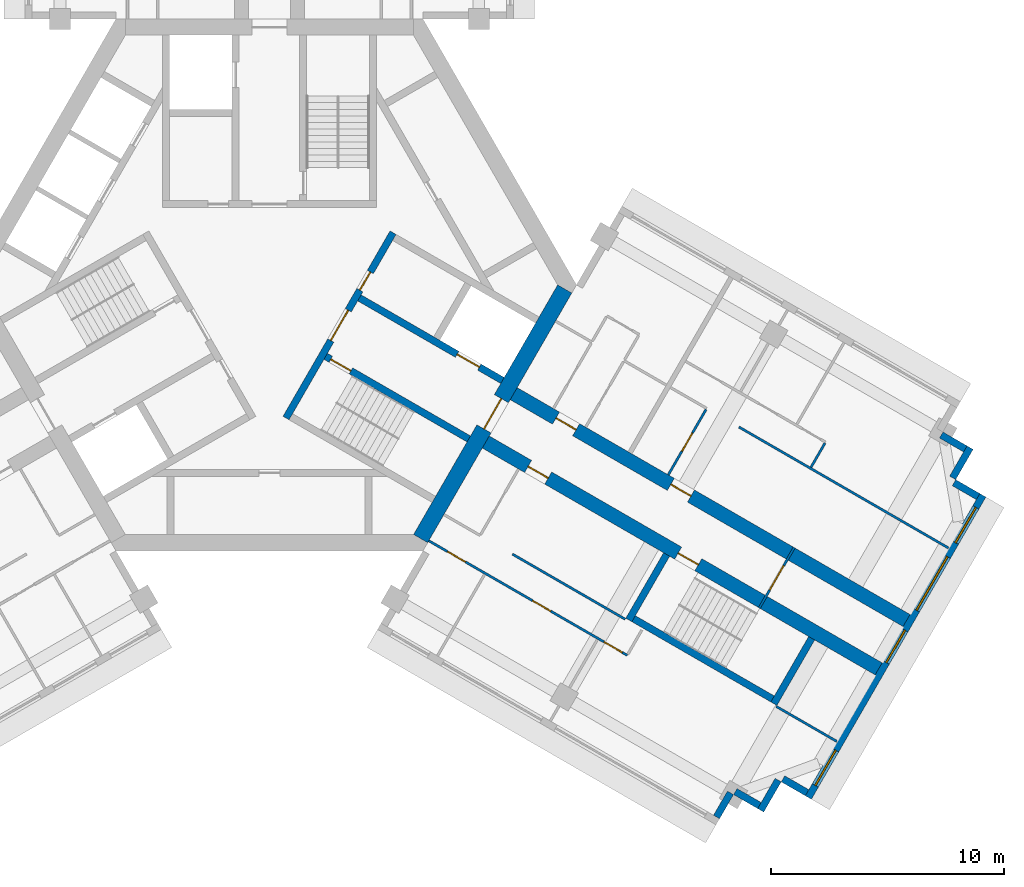
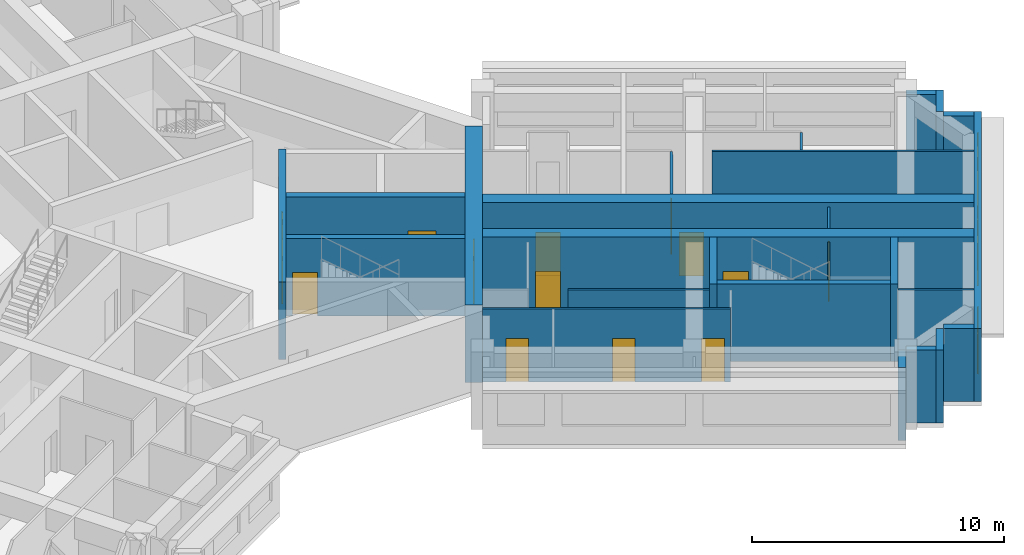
# One storey, part 5 of 10: 24 walls, 14 doors, 4 windows, 18 openings.
"""IFC4 building model written with IfcOpenShell, lengths in metres."""

from ifc_helpers import new_model, si_unit, direction, frame, frame_2d, origin, place, context, subcontext, project, spatial, rectangle, extrude, material, layer, layer_set, type_object, element, fill, save


model = new_model("IFC4")

# Units and contexts
model_context = context("Model", 3, precision=1e-05, world=origin(), true_north=direction((0.0, 1.0)))
body_context = subcontext(model_context, "Body", "Model", "MODEL_VIEW")
ifc_project = project(units=[si_unit("LENGTHUNIT", "METRE"), si_unit("AREAUNIT", "SQUARE_METRE"), si_unit("VOLUMEUNIT", "CUBIC_METRE"), si_unit("PLANEANGLEUNIT", "RADIAN"), si_unit("MASSUNIT", "GRAM", prefix="KILO")], contexts=[model_context])

# Site, building, storey
site_placement = place(None, origin())
site = spatial("IfcSite", under=ifc_project, at=site_placement, CompositionType="ELEMENT")
building_placement = place(site_placement, origin())
building = spatial("IfcBuilding", under=site, at=building_placement, Name="Impinga Residences", CompositionType="ELEMENT")
storey_placement = place(building_placement, frame((0.0, 0.0, 259.75)))
storey = spatial("IfcBuildingStorey", under=building, at=storey_placement, Name="L65", CompositionType="ELEMENT", Elevation=259.75)

# Wall, openings, doors
ifc_material_1 = material(Name="Concrete C60/75", Category="concrete")
ifc_layer_1 = layer(ifc_material_1, 0.60009765625)
ifc_layer_set_1 = layer_set([ifc_layer_1], Name="Concrete C60/75")
wall_type_1 = type_object("IfcWallType", Name="BW3 corridor buttress wall, L46 to L73 600", PredefinedType="SHEAR", material=ifc_layer_set_1)
wall_1_placement = place(storey_placement, frame((10.19677734375, -4.50146484375, 0.0), z_axis=(0.0, 0.0, 1.0), x_axis=(0.866025214745, -0.500000327426, 0.0)))
wall_1 = element("IfcWall", 1, at=wall_1_placement, inside=storey, type_object=wall_type_1, Name="Corridor wall BW3 EC L65", PredefinedType="SHEAR", context=body_context, shape_type="SweptSolid", body=[
    extrude(rectangle(XDim=19.85009765625, YDim=0.60009765625, at=frame_2d((9.925048828125, 0.0))), origin(), (0.0, 0.0, 1.0), 3.75),
])
opening_1_placement = place(wall_1_placement, frame((2.449951171875, 0.0, 0.0)))
opening_1 = element("IfcOpeningElement", 2, at=opening_1_placement, cuts=wall_1, Name="Opening D1", PredefinedType="OPENING", context=body_context, shape_type="SweptSolid", body=[
    extrude(rectangle(XDim=1.0, YDim=2.10009765625, at=frame_2d((0.5, 1.050048828125))), frame((0.0, 0.31005859375, 0.0), z_axis=(0.0, -1.0, 0.0), x_axis=(1.0, 0.0, 0.0)), (0.0, 0.0, 1.0), 0.6201171875),
])
opening_2_placement = place(wall_1_placement, frame((8.14990234375, 0.0, 0.0)))
opening_2 = element("IfcOpeningElement", 3, at=opening_2_placement, cuts=wall_1, Name="Opening D1", PredefinedType="OPENING", context=body_context, shape_type="SweptSolid", body=[
    extrude(rectangle(XDim=1.0, YDim=2.10009765625, at=frame_2d((0.5, 1.050048828125))), frame((0.0, 0.31005859375, 0.0), z_axis=(0.0, -1.0, 0.0), x_axis=(1.0, 0.0, 0.0)), (0.0, 0.0, 1.0), 0.6201171875),
])
ifc_material_2 = material(Name="Timber door set", Category="wood")
door_type_1 = type_object("IfcDoorType", Name="D1 apartment entrance door 1000x2100", OperationType="SINGLE_SWING_LEFT", PredefinedType="DOOR", material=ifc_material_2)
door_1_placement = place(opening_1_placement, origin())
door_1 = element("IfcDoor", 4, at=door_1_placement, inside=storey, type_object=door_type_1, Name="Apartment L65-EA1 entrance", OperationType="SINGLE_SWING_LEFT", OverallHeight=2.10009765625, OverallWidth=1.0, PredefinedType="DOOR", context=body_context, shape_type="SweptSolid", body=[
    extrude(rectangle(XDim=1.0, YDim=2.10009765625, at=frame_2d((0.5, 1.050048828125))), frame((0.0, 0.02490234375, 0.0), z_axis=(0.0, -1.0, 0.0), x_axis=(1.0, 0.0, 0.0)), (0.0, 0.0, 1.0), 0.050048828125),
])
fill(opening_1, door_1)
door_2_placement = place(opening_2_placement, origin())
door_2 = element("IfcDoor", 5, at=door_2_placement, inside=storey, type_object=door_type_1, Name="Apartment L65-EA2 entrance", OperationType="SINGLE_SWING_LEFT", OverallHeight=2.10009765625, OverallWidth=1.0, PredefinedType="DOOR", context=body_context, shape_type="SweptSolid", body=[
    extrude(rectangle(XDim=1.0, YDim=2.10009765625, at=frame_2d((0.5, 1.050048828125))), frame((0.0, 0.02490234375, 0.0), z_axis=(0.0, -1.0, 0.0), x_axis=(1.0, 0.0, 0.0)), (0.0, 0.0, 1.0), 0.050048828125),
])
fill(opening_2, door_2)

wall_2_placement = place(storey_placement, frame((8.996826171875, -6.580078125, 0.0), z_axis=(0.0, 0.0, 1.0), x_axis=(0.866030540451, -0.499991102927, 0.0)))
wall_2 = element("IfcWall", 6, at=wall_2_placement, inside=storey, type_object=wall_type_1, Name="Corridor wall BW3 ED L65", PredefinedType="SHEAR", context=body_context, shape_type="SweptSolid", body=[
    extrude(rectangle(XDim=19.849853515625, YDim=0.60009765625, at=frame_2d((9.9248046875, 0.0))), origin(), (0.0, 0.0, 1.0), 3.75),
])
opening_3_placement = place(wall_2_placement, frame((9.89990234375, 0.0, 0.0)))
opening_3 = element("IfcOpeningElement", 7, at=opening_3_placement, cuts=wall_2, Name="Opening D5", PredefinedType="OPENING", context=body_context, shape_type="SweptSolid", body=[
    extrude(rectangle(XDim=1.0, YDim=2.10009765625, at=frame_2d((0.5, 1.050048828125))), frame((0.0, 0.31005859375, 0.0), z_axis=(0.0, -1.0, 0.0), x_axis=(1.0, 0.0, 0.0)), (0.0, 0.0, 1.0), 0.6201171875),
])
opening_4_placement = place(wall_2_placement, frame((2.449951171875, 0.0, 0.0)))
opening_4 = element("IfcOpeningElement", 8, at=opening_4_placement, cuts=wall_2, Name="Opening D1", PredefinedType="OPENING", context=body_context, shape_type="SweptSolid", body=[
    extrude(rectangle(XDim=1.0, YDim=2.10009765625, at=frame_2d((0.5, 1.050048828125))), frame((0.0, 0.31005859375, 0.0), z_axis=(0.0, -1.0, 0.0), x_axis=(1.0, 0.0, 0.0)), (0.0, 0.0, 1.0), 0.6201171875),
])
door_3_placement = place(opening_4_placement, origin())
door_3 = element("IfcDoor", 9, at=door_3_placement, inside=storey, type_object=door_type_1, Name="Apartment L65-EF1 entrance", OperationType="SINGLE_SWING_LEFT", OverallHeight=2.10009765625, OverallWidth=1.0, PredefinedType="DOOR", context=body_context, shape_type="SweptSolid", body=[
    extrude(rectangle(XDim=1.0, YDim=2.10009765625, at=frame_2d((0.5, 1.050048828125))), frame((0.0, 0.02490234375, 0.0), z_axis=(0.0, -1.0, 0.0), x_axis=(1.0, 0.0, 0.0)), (0.0, 0.0, 1.0), 0.050048828125),
])
fill(opening_4, door_3)
door_type_2 = type_object("IfcDoorType", Name="D5 stair door 1000x2100", OperationType="SINGLE_SWING_LEFT", PredefinedType="DOOR", material=ifc_material_2)
door_4_placement = place(opening_3_placement, origin())
door_4 = element("IfcDoor", 10, at=door_4_placement, inside=storey, type_object=door_type_2, Name="Wing stair door E", OperationType="SINGLE_SWING_RIGHT", OverallHeight=2.10009765625, OverallWidth=1.0, PredefinedType="DOOR", context=body_context, shape_type="SweptSolid", body=[
    extrude(rectangle(XDim=1.0, YDim=2.10009765625, at=frame_2d((0.5, 1.050048828125))), frame((0.0, 0.02490234375, 0.0), z_axis=(0.0, -1.0, 0.0), x_axis=(1.0, 0.0, 0.0)), (0.0, 0.0, 1.0), 0.050048828125),
])
fill(opening_3, door_4)

# Wall, opening, door
ifc_material_3 = material(Name="Concrete blockwork", Category="masonry")
ifc_layer_2 = layer(ifc_material_3, 0.10009765625)
ifc_layer_set_2 = layer_set([ifc_layer_2], Name="CP1 core room partition, blockwork 100")
wall_type_2 = type_object("IfcWallType", Name="CP1 core room partition, blockwork 100", PredefinedType="PARTITIONING", material=ifc_layer_set_2)
wall_3_placement = place(storey_placement, frame((22.557861328125, -11.291748046875, 0.0), z_axis=(0.0, 0.0, 1.0), x_axis=(-0.499990139034, -0.866031096941, 0.0)))
wall_3 = element("IfcWall", 11, at=wall_3_placement, inside=storey, type_object=wall_type_2, Name="Core room partition, blockwork L65:E:LNG", PredefinedType="PARTITIONING", context=body_context, shape_type="SweptSolid", body=[
    extrude(rectangle(XDim=3.0, YDim=0.10009765625, at=frame_2d((1.5, 0.0))), origin(), (0.0, 0.0, 1.0), 3.530029296875),
])
opening_5_placement = place(wall_3_placement, frame((0.89990234375, 0.0, 0.0)))
opening_5 = element("IfcOpeningElement", 12, at=opening_5_placement, cuts=wall_3, Name="Opening D3", PredefinedType="OPENING", context=body_context, shape_type="SweptSolid", body=[
    extrude(rectangle(XDim=1.199951171875, YDim=2.10009765625, at=frame_2d((0.60009765625, 1.050048828125))), frame((0.0, 0.06005859375, 0.0), z_axis=(0.0, -1.0, 0.0), x_axis=(1.0, 0.0, 0.0)), (0.0, 0.0, 1.0), 0.1201171875),
])
door_type_3 = type_object("IfcDoorType", Name="D3 room door, leaf and a half 1200x2100", OperationType="DOUBLE_SWING_LEFT", PredefinedType="DOOR", material=ifc_material_2)
door_5_placement = place(opening_5_placement, origin())
door_5 = element("IfcDoor", 13, at=door_5_placement, inside=storey, type_object=door_type_3, Name="Residents' lounge door E", OperationType="DOUBLE_SWING_LEFT", OverallHeight=2.10009765625, OverallWidth=1.199951171875, PredefinedType="DOOR", context=body_context, shape_type="SweptSolid", body=[
    extrude(rectangle(XDim=1.199951171875, YDim=2.10009765625, at=frame_2d((0.60009765625, 1.050048828125))), frame((0.0, 0.02490234375, 0.0), z_axis=(0.0, -1.0, 0.0), x_axis=(1.0, 0.0, 0.0)), (0.0, 0.0, 1.0), 0.050048828125),
])
fill(opening_5, door_5)

# Walls
ifc_material_4 = material(Name="Terracotta rainscreen on blockwork", Category="masonry")
ifc_layer_3 = layer(ifc_material_4, 0.300048828125)
ifc_layer_set_3 = layer_set([ifc_layer_3], Name="EW1 external wall, terracotta rainscreen on blockwork 300")
wall_type_3 = type_object("IfcWallType", Name="EW1 external wall, terracotta rainscreen on blockwork 300", PredefinedType="SOLIDWALL", material=ifc_layer_set_3)
wall_4_placement = place(storey_placement, frame((28.878662109375, -6.453857421875, 0.0), z_axis=(0.0, 0.0, 1.0), x_axis=(0.865971243484, -0.500093796661, 0.0)))
element("IfcWall", 14, at=wall_4_placement, inside=storey, type_object=wall_type_3, Name="External wall EW1 L65", PredefinedType="SOLIDWALL", context=body_context, shape_type="SweptSolid", body=[
    extrude(rectangle(XDim=1.195068359375, YDim=0.300048828125, at=frame_2d((0.59765625, 0.0))), origin(), (0.0, 0.0, 1.0), 3.530029296875),
])
wall_5_placement = place(storey_placement, frame((30.118408203125, -6.99658203125, 0.0), z_axis=(0.0, 0.0, 1.0), x_axis=(-0.499990139034, -0.866031096941, 0.0)))
element("IfcWall", 15, at=wall_5_placement, inside=storey, type_object=wall_type_3, Name="External wall EW1 L65", PredefinedType="SOLIDWALL", context=body_context, shape_type="SweptSolid", body=[
    extrude(rectangle(XDim=1.5, YDim=0.300048828125, at=frame_2d((0.75, 0.0))), origin(), (0.0, 0.0, 1.0), 3.530029296875),
])
wall_6_placement = place(storey_placement, frame((29.427490234375, -8.5029296875, 0.0), z_axis=(0.0, 0.0, 1.0), x_axis=(0.865971243484, -0.500093796661, 0.0)))
element("IfcWall", 16, at=wall_6_placement, inside=storey, type_object=wall_type_3, Name="External wall EW1 L65", PredefinedType="SOLIDWALL", context=body_context, shape_type="SweptSolid", body=[
    extrude(rectangle(XDim=1.195068359375, YDim=0.300048828125, at=frame_2d((0.59765625, 0.0))), origin(), (0.0, 0.0, 1.0), 3.530029296875),
])

# Wall, openings, windows
wall_7_placement = place(storey_placement, frame((30.66748046875, -9.045654296875, 0.0), z_axis=(0.0, 0.0, 1.0), x_axis=(-0.500004234368, -0.866022959057, 0.0)))
wall_7 = element("IfcWall", 17, at=wall_7_placement, inside=storey, type_object=wall_type_3, Name="External wall EW1 L65", PredefinedType="SOLIDWALL", context=body_context, shape_type="SweptSolid", body=[
    extrude(rectangle(XDim=14.999755859375, YDim=0.300048828125, at=frame_2d((7.5, 0.0))), origin(), (0.0, 0.0, 1.0), 3.530029296875),
])
opening_6_placement = place(wall_7_placement, frame((0.60009765625, 0.0, 0.89990234375)))
opening_6 = element("IfcOpeningElement", 18, at=opening_6_placement, cuts=wall_7, Name="Opening W1", PredefinedType="OPENING", context=body_context, shape_type="SweptSolid", body=[
    extrude(rectangle(XDim=1.75, YDim=2.050048828125, at=frame_2d((0.875, 1.02490234375))), frame((0.0, 0.159912109375, 0.0), z_axis=(0.0, -1.0, 0.0), x_axis=(1.0, 0.0, 0.0)), (0.0, 0.0, 1.0), 0.320068359375),
])
opening_7_placement = place(wall_7_placement, frame((3.050048828125, 0.0, 0.89990234375)))
opening_7 = element("IfcOpeningElement", 19, at=opening_7_placement, cuts=wall_7, Name="Opening W18", PredefinedType="OPENING", context=body_context, shape_type="SweptSolid", body=[
    extrude(rectangle(XDim=2.64990234375, YDim=2.050048828125, at=frame_2d((1.324951171875, 1.02490234375))), frame((0.0, 0.159912109375, 0.0), z_axis=(0.0, -1.0, 0.0), x_axis=(1.0, 0.0, 0.0)), (0.0, 0.0, 1.0), 0.320068359375),
])
opening_8_placement = place(wall_7_placement, frame((6.699951171875, 0.0, 0.89990234375)))
opening_8 = element("IfcOpeningElement", 20, at=opening_8_placement, cuts=wall_7, Name="Opening W19", PredefinedType="OPENING", context=body_context, shape_type="SweptSolid", body=[
    extrude(rectangle(XDim=1.60009765625, YDim=2.050048828125, at=frame_2d((0.800048828125, 1.02490234375))), frame((0.0, 0.159912109375, 0.0), z_axis=(0.0, -1.0, 0.0), x_axis=(1.0, 0.0, 0.0)), (0.0, 0.0, 1.0), 0.320068359375),
])
opening_9_placement = place(wall_7_placement, frame((12.64990234375, 0.0, 0.89990234375)))
opening_9 = element("IfcOpeningElement", 21, at=opening_9_placement, cuts=wall_7, Name="Opening W1", PredefinedType="OPENING", context=body_context, shape_type="SweptSolid", body=[
    extrude(rectangle(XDim=1.75, YDim=2.050048828125, at=frame_2d((0.875, 1.02490234375))), frame((0.0, 0.159912109375, 0.0), z_axis=(0.0, -1.0, 0.0), x_axis=(1.0, 0.0, 0.0)), (0.0, 0.0, 1.0), 0.320068359375),
])
ifc_material_5 = material(Name="Aluminium window, clear double glazing", Category="aluminium")
window_type_1 = type_object("IfcWindowType", Name="W1 ribbon window 1750x2050", PartitioningType="SINGLE_PANEL", PredefinedType="WINDOW", material=ifc_material_5)
window_1_placement = place(opening_6_placement, origin())
window_1 = element("IfcWindow", 22, at=window_1_placement, inside=storey, type_object=window_type_1, Name="Window L65", OverallHeight=2.050048828125, OverallWidth=1.75, PartitioningType="SINGLE_PANEL", PredefinedType="WINDOW", context=body_context, shape_type="SweptSolid", body=[
    extrude(rectangle(XDim=1.75, YDim=2.050048828125, at=frame_2d((0.875, 1.02490234375))), frame((0.0, 0.030029296875, 0.0), z_axis=(0.0, -1.0, 0.0), x_axis=(1.0, 0.0, 0.0)), (0.0, 0.0, 1.0), 0.06005859375),
])
fill(opening_6, window_1)
window_2_placement = place(opening_9_placement, origin())
window_2 = element("IfcWindow", 23, at=window_2_placement, inside=storey, type_object=window_type_1, Name="Window L65", OverallHeight=2.050048828125, OverallWidth=1.75, PartitioningType="SINGLE_PANEL", PredefinedType="WINDOW", context=body_context, shape_type="SweptSolid", body=[
    extrude(rectangle(XDim=1.75, YDim=2.050048828125, at=frame_2d((0.875, 1.02490234375))), frame((0.0, 0.030029296875, 0.0), z_axis=(0.0, -1.0, 0.0), x_axis=(1.0, 0.0, 0.0)), (0.0, 0.0, 1.0), 0.06005859375),
])
fill(opening_9, window_2)
window_type_2 = type_object("IfcWindowType", Name="W18 ribbon window 2650x2050", PartitioningType="SINGLE_PANEL", PredefinedType="WINDOW", material=ifc_material_5)
window_3_placement = place(opening_7_placement, origin())
window_3 = element("IfcWindow", 24, at=window_3_placement, inside=storey, type_object=window_type_2, Name="Window L65", OverallHeight=2.050048828125, OverallWidth=2.64990234375, PartitioningType="SINGLE_PANEL", PredefinedType="WINDOW", context=body_context, shape_type="SweptSolid", body=[
    extrude(rectangle(XDim=2.64990234375, YDim=2.050048828125, at=frame_2d((1.324951171875, 1.02490234375))), frame((0.0, 0.030029296875, 0.0), z_axis=(0.0, -1.0, 0.0), x_axis=(1.0, 0.0, 0.0)), (0.0, 0.0, 1.0), 0.06005859375),
])
fill(opening_7, window_3)
window_type_3 = type_object("IfcWindowType", Name="W19 ribbon window 1600x2050", PartitioningType="SINGLE_PANEL", PredefinedType="WINDOW", material=ifc_material_5)
window_4_placement = place(opening_8_placement, origin())
window_4 = element("IfcWindow", 25, at=window_4_placement, inside=storey, type_object=window_type_3, Name="Window L65", OverallHeight=2.050048828125, OverallWidth=1.60009765625, PartitioningType="SINGLE_PANEL", PredefinedType="WINDOW", context=body_context, shape_type="SweptSolid", body=[
    extrude(rectangle(XDim=1.60009765625, YDim=2.050048828125, at=frame_2d((0.800048828125, 1.02490234375))), frame((0.0, 0.030029296875, 0.0), z_axis=(0.0, -1.0, 0.0), x_axis=(1.0, 0.0, 0.0)), (0.0, 0.0, 1.0), 0.06005859375),
])
fill(opening_8, window_4)

# Walls
wall_8_placement = place(storey_placement, frame((23.112548828125, -21.8310546875, 0.0), z_axis=(0.0, 0.0, 1.0), x_axis=(-0.866059708757, 0.499940577336, 0.0)))
element("IfcWall", 26, at=wall_8_placement, inside=storey, type_object=wall_type_3, Name="External wall EW1 L65", PredefinedType="SOLIDWALL", context=body_context, shape_type="SweptSolid", body=[
    extrude(rectangle(XDim=1.195068359375, YDim=0.300048828125, at=frame_2d((0.59765625, 0.0))), origin(), (0.0, 0.0, 1.0), 3.530029296875),
])
wall_9_placement = place(storey_placement, frame((21.868408203125, -21.285888671875, 0.0), z_axis=(0.0, 0.0, 1.0), x_axis=(-0.499990139034, -0.866031096941, 0.0)))
element("IfcWall", 27, at=wall_9_placement, inside=storey, type_object=wall_type_3, Name="External wall EW1 L65", PredefinedType="SOLIDWALL", context=body_context, shape_type="SweptSolid", body=[
    extrude(rectangle(XDim=1.5, YDim=0.300048828125, at=frame_2d((0.75, 0.0))), origin(), (0.0, 0.0, 1.0), 3.530029296875),
])
wall_10_placement = place(storey_placement, frame((21.0634765625, -22.380126953125, 0.0), z_axis=(0.0, 0.0, 1.0), x_axis=(-0.865971243484, 0.500093796661, 0.0)))
element("IfcWall", 28, at=wall_10_placement, inside=storey, type_object=wall_type_3, Name="External wall EW1 L65", PredefinedType="SOLIDWALL", context=body_context, shape_type="SweptSolid", body=[
    extrude(rectangle(XDim=1.195068359375, YDim=0.300048828125, at=frame_2d((0.59765625, 0.0))), origin(), (0.0, 0.0, 1.0), 3.530029296875),
])
wall_11_placement = place(storey_placement, frame((19.8193359375, -21.8349609375, 0.0), z_axis=(0.0, 0.0, 1.0), x_axis=(-0.500033551112, -0.866006032174, 0.0)))
element("IfcWall", 29, at=wall_11_placement, inside=storey, type_object=wall_type_3, Name="External wall EW1 L65", PredefinedType="SOLIDWALL", context=body_context, shape_type="SweptSolid", body=[
    extrude(rectangle(XDim=1.2001953125, YDim=0.300048828125, at=frame_2d((0.60009765625, 0.0))), origin(), (0.0, 0.0, 1.0), 3.530029296875),
])
ifc_material_6 = material(Name="Gypsum board on steel studs", Category="steel")
ifc_layer_4 = layer(ifc_material_6, 0.10009765625)
ifc_layer_set_4 = layer_set([ifc_layer_4], Name="Gypsum board on steel studs")
wall_type_4 = type_object("IfcWallType", Name="IP1 partition 100", PredefinedType="PARTITIONING", material=ifc_layer_set_4)
wall_12_placement = place(storey_placement, frame((20.180908203125, -6.10888671875, 0.0), z_axis=(0.0, 0.0, 1.0), x_axis=(0.866025696342, -0.499999493275, 0.0)))
element("IfcWall", 30, at=wall_12_placement, inside=storey, type_object=wall_type_4, Name="Partition L65-EA2:DIV1", PredefinedType="PARTITIONING", context=body_context, shape_type="SweptSolid", body=[
    extrude(rectangle(XDim=10.39990234375, YDim=0.10009765625, at=frame_2d((5.199951171875, 0.0))), origin(), (0.0, 0.0, 1.0), 3.530029296875),
])
wall_13_placement = place(storey_placement, frame((23.2802734375, -7.840576171875, 0.0), z_axis=(0.0, 0.0, 1.0), x_axis=(0.499880961361, 0.866094119867, 0.0)))
element("IfcWall", 31, at=wall_13_placement, inside=storey, type_object=wall_type_4, Name="Partition L65-EA2:SE1", PredefinedType="PARTITIONING", context=body_context, shape_type="SweptSolid", body=[
    extrude(rectangle(XDim=1.199951171875, YDim=0.10009765625, at=frame_2d((0.60009765625, 0.0))), origin(), (0.0, 0.0, 1.0), 3.530029296875),
])

# Wall, opening, door
wall_14_placement = place(storey_placement, frame((17.145263671875, -8.166748046875, 0.0), z_axis=(0.0, 0.0, 1.0), x_axis=(0.499984717929, 0.866034226713, 0.0)))
wall_14 = element("IfcWall", 32, at=wall_14_placement, inside=storey, type_object=wall_type_4, Name="Partition L65-EA2:IB1", PredefinedType="PARTITIONING", context=body_context, shape_type="SweptSolid", body=[
    extrude(rectangle(XDim=3.25, YDim=0.10009765625, at=frame_2d((1.625, 0.0))), origin(), (0.0, 0.0, 1.0), 3.530029296875),
])
opening_10_placement = place(wall_14_placement, frame((1.175048828125, 0.0, 0.0)))
opening_10 = element("IfcOpeningElement", 33, at=opening_10_placement, cuts=wall_14, Name="Opening D2", PredefinedType="OPENING", context=body_context, shape_type="SweptSolid", body=[
    extrude(rectangle(XDim=0.89990234375, YDim=2.10009765625, at=frame_2d((0.449951171875, 1.050048828125))), frame((0.0, 0.06005859375, 0.0), z_axis=(0.0, -1.0, 0.0), x_axis=(1.0, 0.0, 0.0)), (0.0, 0.0, 1.0), 0.1201171875),
])
door_type_4 = type_object("IfcDoorType", Name="D2 internal door 900x2100", OperationType="SINGLE_SWING_LEFT", PredefinedType="DOOR", material=ifc_material_2)
door_6_placement = place(opening_10_placement, origin())
door_6 = element("IfcDoor", 34, at=door_6_placement, inside=storey, type_object=door_type_4, Name="Apartment L65-EA2 bathroom door", OperationType="SINGLE_SWING_LEFT", OverallHeight=2.10009765625, OverallWidth=0.89990234375, PredefinedType="DOOR", context=body_context, shape_type="SweptSolid", body=[
    extrude(rectangle(XDim=0.89990234375, YDim=2.10009765625, at=frame_2d((0.449951171875, 1.050048828125))), frame((0.0, 0.02490234375, 0.0), z_axis=(0.0, -1.0, 0.0), x_axis=(1.0, 0.0, 0.0)), (0.0, 0.0, 1.0), 0.050048828125),
])
fill(opening_10, door_6)

# Walls
wall_15_placement = place(storey_placement, frame((10.444580078125, -11.57275390625, 0.0), z_axis=(0.0, 0.0, 1.0), x_axis=(0.866015695474, -0.500016814911, 0.0)))
element("IfcWall", 35, at=wall_15_placement, inside=storey, type_object=wall_type_4, Name="Partition L65-EF1:DIV1", PredefinedType="PARTITIONING", context=body_context, shape_type="SweptSolid", body=[
    extrude(rectangle(XDim=5.599853515625, YDim=0.10009765625, at=frame_2d((2.7998046875, 0.0))), origin(), (0.0, 0.0, 1.0), 3.530029296875),
])
wall_16_placement = place(storey_placement, frame((21.789306640625, -18.122802734375, 0.0), z_axis=(0.0, 0.0, 1.0), x_axis=(0.866031096941, -0.499990139034, 0.0)))
element("IfcWall", 36, at=wall_16_placement, inside=storey, type_object=wall_type_4, Name="Partition L65-EF1:DIV2", PredefinedType="PARTITIONING", context=body_context, shape_type="SweptSolid", body=[
    extrude(rectangle(XDim=3.0, YDim=0.10009765625, at=frame_2d((1.5, 0.0))), origin(), (0.0, 0.0, 1.0), 3.530029296875),
])

# Wall, openings, doors
wall_17_placement = place(storey_placement, frame((6.85009765625, -10.99853515625, 0.0), z_axis=(0.0, 0.0, 1.0), x_axis=(0.866021308241, -0.500007093622, 0.0)))
wall_17 = element("IfcWall", 37, at=wall_17_placement, inside=storey, type_object=wall_type_4, Name="Partition L65-EF1:STRIP", PredefinedType="PARTITIONING", context=body_context, shape_type="SweptSolid", body=[
    extrude(rectangle(XDim=9.849853515625, YDim=0.10009765625, at=frame_2d((4.9248046875, 0.0))), origin(), (0.0, 0.0, 1.0), 3.530029296875),
])
opening_11_placement = place(wall_17_placement, frame((0.925048828125, 0.0, 0.0)))
opening_11 = element("IfcOpeningElement", 38, at=opening_11_placement, cuts=wall_17, Name="Opening D2", PredefinedType="OPENING", context=body_context, shape_type="SweptSolid", body=[
    extrude(rectangle(XDim=0.89990234375, YDim=2.10009765625, at=frame_2d((0.449951171875, 1.050048828125))), frame((0.0, 0.06005859375, 0.0), z_axis=(0.0, -1.0, 0.0), x_axis=(1.0, 0.0, 0.0)), (0.0, 0.0, 1.0), 0.1201171875),
])
opening_12_placement = place(wall_17_placement, frame((5.14990234375, 0.0, 0.0)))
opening_12 = element("IfcOpeningElement", 39, at=opening_12_placement, cuts=wall_17, Name="Opening D2", PredefinedType="OPENING", context=body_context, shape_type="SweptSolid", body=[
    extrude(rectangle(XDim=0.89990234375, YDim=2.10009765625, at=frame_2d((0.449951171875, 1.050048828125))), frame((0.0, 0.06005859375, 0.0), z_axis=(0.0, -1.0, 0.0), x_axis=(1.0, 0.0, 0.0)), (0.0, 0.0, 1.0), 0.1201171875),
])
opening_13_placement = place(wall_17_placement, frame((8.699951171875, 0.0, 0.0)))
opening_13 = element("IfcOpeningElement", 40, at=opening_13_placement, cuts=wall_17, Name="Opening D2", PredefinedType="OPENING", context=body_context, shape_type="SweptSolid", body=[
    extrude(rectangle(XDim=0.89990234375, YDim=2.10009765625, at=frame_2d((0.449951171875, 1.050048828125))), frame((0.0, 0.06005859375, 0.0), z_axis=(0.0, -1.0, 0.0), x_axis=(1.0, 0.0, 0.0)), (0.0, 0.0, 1.0), 0.1201171875),
])
door_7_placement = place(opening_11_placement, origin())
door_7 = element("IfcDoor", 41, at=door_7_placement, inside=storey, type_object=door_type_4, Name="Apartment L65-EF1 room door", OperationType="SINGLE_SWING_LEFT", OverallHeight=2.10009765625, OverallWidth=0.89990234375, PredefinedType="DOOR", context=body_context, shape_type="SweptSolid", body=[
    extrude(rectangle(XDim=0.89990234375, YDim=2.10009765625, at=frame_2d((0.449951171875, 1.050048828125))), frame((0.0, 0.02490234375, 0.0), z_axis=(0.0, -1.0, 0.0), x_axis=(1.0, 0.0, 0.0)), (0.0, 0.0, 1.0), 0.050048828125),
])
fill(opening_11, door_7)
door_8_placement = place(opening_12_placement, origin())
door_8 = element("IfcDoor", 42, at=door_8_placement, inside=storey, type_object=door_type_4, Name="Apartment L65-EF1 room door", OperationType="SINGLE_SWING_RIGHT", OverallHeight=2.10009765625, OverallWidth=0.89990234375, PredefinedType="DOOR", context=body_context, shape_type="SweptSolid", body=[
    extrude(rectangle(XDim=0.89990234375, YDim=2.10009765625, at=frame_2d((0.449951171875, 1.050048828125))), frame((0.0, 0.02490234375, 0.0), z_axis=(0.0, -1.0, 0.0), x_axis=(1.0, 0.0, 0.0)), (0.0, 0.0, 1.0), 0.050048828125),
])
fill(opening_12, door_8)
door_9_placement = place(opening_13_placement, origin())
door_9 = element("IfcDoor", 43, at=door_9_placement, inside=storey, type_object=door_type_4, Name="Apartment L65-EF1 room door", OperationType="SINGLE_SWING_RIGHT", OverallHeight=2.10009765625, OverallWidth=0.89990234375, PredefinedType="DOOR", context=body_context, shape_type="SweptSolid", body=[
    extrude(rectangle(XDim=0.89990234375, YDim=2.10009765625, at=frame_2d((0.449951171875, 1.050048828125))), frame((0.0, 0.02490234375, 0.0), z_axis=(0.0, -1.0, 0.0), x_axis=(1.0, 0.0, 0.0)), (0.0, 0.0, 1.0), 0.050048828125),
])
fill(opening_13, door_9)

# Walls
ifc_layer_5 = layer(ifc_material_1, 0.300048828125)
ifc_layer_set_5 = layer_set([ifc_layer_5], Name="Concrete C60/75")
wall_type_5 = type_object("IfcWallType", Name="SE1 wing stair enclosure wall 300", PredefinedType="SOLIDWALL", material=ifc_layer_set_5)
for number, where, z_axis, x_axis, name in (
    (44, (17.07421875, -11.58984375, 0.0), (0.0, 0.0, 1.0), (-0.500017246033, -0.866015446554, 0.0), "Stair enclosure wall SE1 E END0 L65"),
    (45, (23.3095703125, -15.189697265625, 0.0), (0.0, 0.0, 1.0), (-0.499984717929, -0.866034226713, 0.0), "Stair enclosure wall SE1 E END1 L65"),
):
    element("IfcWall", number, at=place(storey_placement, frame(where, z_axis=z_axis, x_axis=x_axis)), inside=storey, type_object=wall_type_5, Name=name, PredefinedType="SOLIDWALL", context=body_context, shape_type="SweptSolid", body=[
        extrude(rectangle(XDim=3.25, YDim=0.300048828125, at=frame_2d((1.625, 0.0))), origin(), (0.0, 0.0, 1.0), 3.75),
    ])
wall_18_placement = place(storey_placement, frame((15.654052734375, -14.349365234375, 0.0), z_axis=(0.0, 0.0, 1.0), x_axis=(0.866013532718, -0.500020560727, 0.0)))
element("IfcWall", 46, at=wall_18_placement, inside=storey, type_object=wall_type_5, Name="Stair enclosure wall SE1 E OUT L65", PredefinedType="SOLIDWALL", context=body_context, shape_type="SweptSolid", body=[
    extrude(rectangle(XDim=6.900146484375, YDim=0.300048828125, at=frame_2d((3.4501953125, 0.0))), origin(), (0.0, 0.0, 1.0), 3.75),
])

# Wall, opening, door
ifc_layer_6 = layer(ifc_material_1, 0.699951171875)
ifc_layer_set_6 = layer_set([ifc_layer_6], Name="Concrete C60/75")
wall_type_6 = type_object("IfcWallType", Name="SW3 core wall 700", PredefinedType="SHEAR", material=ifc_layer_set_6)
wall_19_placement = place(storey_placement, frame((12.69482421875, -0.175048828125, 0.0), z_axis=(0.0, 0.0, 1.0), x_axis=(-0.499999875397, -0.866025475724, 0.0)))
wall_19 = element("IfcWall", 47, at=wall_19_placement, inside=storey, type_object=wall_type_6, Name="Core wall SW3 E:FACE L65", PredefinedType="SHEAR", context=body_context, shape_type="SweptSolid", body=[
    extrude(rectangle(XDim=12.3916015625, YDim=0.699951171875, at=frame_2d((6.19580078125, 0.0))), origin(), (0.0, 0.0, 1.0), 3.75),
])
opening_14_placement = place(wall_19_placement, frame((5.44580078125, 0.0, 0.0)))
opening_14 = element("IfcOpeningElement", 48, at=opening_14_placement, cuts=wall_19, Name="Opening D4", PredefinedType="OPENING", context=body_context, shape_type="SweptSolid", body=[
    extrude(rectangle(XDim=1.5, YDim=2.10009765625, at=frame_2d((0.75, 1.050048828125))), frame((0.0, 0.35986328125, 0.0), z_axis=(0.0, -1.0, 0.0), x_axis=(1.0, 0.0, 0.0)), (0.0, 0.0, 1.0), 0.719970703125),
])
door_type_5 = type_object("IfcDoorType", Name="D4 lobby door pair 1500x2100", OperationType="DOUBLE_DOOR_DOUBLE_SWING", PredefinedType="DOOR", material=ifc_material_2)
door_10_placement = place(opening_14_placement, origin())
door_10 = element("IfcDoor", 49, at=door_10_placement, inside=storey, type_object=door_type_5, Name="Lobby door E", OperationType="DOUBLE_DOOR_DOUBLE_SWING", OverallHeight=2.10009765625, OverallWidth=1.5, PredefinedType="DOOR", context=body_context, shape_type="SweptSolid", body=[
    extrude(rectangle(XDim=1.5, YDim=2.10009765625, at=frame_2d((0.75, 1.050048828125))), frame((0.0, 0.02490234375, 0.0), z_axis=(0.0, -1.0, 0.0), x_axis=(1.0, 0.0, 0.0)), (0.0, 0.0, 1.0), 0.050048828125),
])
fill(opening_14, door_10)

# Wall, openings, doors
ifc_material_7 = material(Name="Concrete C70/85", Category="concrete")
ifc_layer_7 = layer(ifc_material_7, 0.300048828125)
ifc_layer_set_7 = layer_set([ifc_layer_7], Name="Concrete C70/85")
wall_type_7 = type_object("IfcWallType", Name="SW5 core inner wall, stairs, shafts and lobbies 300", PredefinedType="SHEAR", material=ifc_layer_set_7)
wall_20_placement = place(storey_placement, frame((5.313720703125, 2.24365234375, 0.0), z_axis=(0.0, 0.0, 1.0), x_axis=(-0.499995050369, -0.866028261437, 0.0)))
wall_20 = element("IfcWall", 50, at=wall_20_placement, inside=storey, type_object=wall_type_7, Name="Core wall SW5 E:ZONE L65", PredefinedType="SHEAR", context=body_context, shape_type="SweptSolid", body=[
    extrude(rectangle(XDim=9.19970703125, YDim=0.300048828125, at=frame_2d((4.599853515625, 0.0))), origin(), (0.0, 0.0, 1.0), 3.75),
])
opening_15_placement = place(wall_20_placement, frame((3.85009765625, 0.0, 0.0)))
opening_15 = element("IfcOpeningElement", 51, at=opening_15_placement, cuts=wall_20, Name="Opening D4", PredefinedType="OPENING", context=body_context, shape_type="SweptSolid", body=[
    extrude(rectangle(XDim=1.5, YDim=2.10009765625, at=frame_2d((0.75, 1.050048828125))), frame((0.0, 0.159912109375, 0.0), z_axis=(0.0, -1.0, 0.0), x_axis=(1.0, 0.0, 0.0)), (0.0, 0.0, 1.0), 0.320068359375),
])
opening_16_placement = place(wall_20_placement, frame((1.949951171875, 0.0, 0.0)))
opening_16 = element("IfcOpeningElement", 52, at=opening_16_placement, cuts=wall_20, Name="Opening D6", PredefinedType="OPENING", context=body_context, shape_type="SweptSolid", body=[
    extrude(rectangle(XDim=0.89990234375, YDim=2.10009765625, at=frame_2d((0.449951171875, 1.050048828125))), frame((0.0, 0.159912109375, 0.0), z_axis=(0.0, -1.0, 0.0), x_axis=(1.0, 0.0, 0.0)), (0.0, 0.0, 1.0), 0.320068359375),
])
door_11_placement = place(opening_15_placement, origin())
door_11 = element("IfcDoor", 53, at=door_11_placement, inside=storey, type_object=door_type_5, Name="Firefighting lobby door E", OperationType="DOUBLE_DOOR_DOUBLE_SWING", OverallHeight=2.10009765625, OverallWidth=1.5, PredefinedType="DOOR", context=body_context, shape_type="SweptSolid", body=[
    extrude(rectangle(XDim=1.5, YDim=2.10009765625, at=frame_2d((0.75, 1.050048828125))), frame((0.0, 0.02490234375, 0.0), z_axis=(0.0, -1.0, 0.0), x_axis=(1.0, 0.0, 0.0)), (0.0, 0.0, 1.0), 0.050048828125),
])
fill(opening_15, door_11)
door_type_6 = type_object("IfcDoorType", Name="D6 riser and store door 900x2100", OperationType="SINGLE_SWING_LEFT", PredefinedType="DOOR", material=ifc_material_2)
door_12_placement = place(opening_16_placement, origin())
door_12 = element("IfcDoor", 54, at=door_12_placement, inside=storey, type_object=door_type_6, Name="Riser door E", OperationType="SINGLE_SWING_LEFT", OverallHeight=2.10009765625, OverallWidth=0.89990234375, PredefinedType="DOOR", context=body_context, shape_type="SweptSolid", body=[
    extrude(rectangle(XDim=0.89990234375, YDim=2.10009765625, at=frame_2d((0.449951171875, 1.050048828125))), frame((0.0, 0.02490234375, 0.0), z_axis=(0.0, -1.0, 0.0), x_axis=(1.0, 0.0, 0.0)), (0.0, 0.0, 1.0), 0.050048828125),
])
fill(opening_16, door_12)

# Wall, opening, door
wall_21_placement = place(storey_placement, frame((2.418701171875, -3.07080078125, 0.0), z_axis=(0.0, 0.0, 1.0), x_axis=(0.866025859768, -0.499999210213, 0.0)))
wall_21 = element("IfcWall", 55, at=wall_21_placement, inside=storey, type_object=wall_type_7, Name="Core wall SW5 E:ST-IN L65", PredefinedType="SHEAR", context=body_context, shape_type="SweptSolid", body=[
    extrude(rectangle(XDim=7.1015625, YDim=0.300048828125, at=frame_2d((3.55078125, 0.0))), origin(), (0.0, 0.0, 1.0), 3.75),
])
opening_17_placement = place(wall_21_placement, frame((0.25, 0.0, 0.0)))
opening_17 = element("IfcOpeningElement", 56, at=opening_17_placement, cuts=wall_21, Name="Opening D5", PredefinedType="OPENING", context=body_context, shape_type="SweptSolid", body=[
    extrude(rectangle(XDim=1.0, YDim=2.10009765625, at=frame_2d((0.5, 1.050048828125))), frame((0.0, 0.159912109375, 0.0), z_axis=(0.0, -1.0, 0.0), x_axis=(1.0, 0.0, 0.0)), (0.0, 0.0, 1.0), 0.320068359375),
])
door_13_placement = place(opening_17_placement, origin())
door_13 = element("IfcDoor", 57, at=door_13_placement, inside=storey, type_object=door_type_2, Name="Stair door E", OperationType="SINGLE_SWING_LEFT", OverallHeight=2.10009765625, OverallWidth=1.0, PredefinedType="DOOR", context=body_context, shape_type="SweptSolid", body=[
    extrude(rectangle(XDim=1.0, YDim=2.10009765625, at=frame_2d((0.5, 1.050048828125))), frame((0.0, 0.02490234375, 0.0), z_axis=(0.0, -1.0, 0.0), x_axis=(1.0, 0.0, 0.0)), (0.0, 0.0, 1.0), 0.050048828125),
])
fill(opening_17, door_13)

wall_22_placement = place(storey_placement, frame((3.86865234375, -0.559326171875, 0.0), z_axis=(0.0, 0.0, 1.0), x_axis=(0.866025859768, -0.499999210213, 0.0)))
wall_22 = element("IfcWall", 58, at=wall_22_placement, inside=storey, type_object=wall_type_7, Name="Core wall SW5 E:FF-IN L65", PredefinedType="SHEAR", context=body_context, shape_type="SweptSolid", body=[
    extrude(rectangle(XDim=7.1015625, YDim=0.300048828125, at=frame_2d((3.55078125, 0.0))), origin(), (0.0, 0.0, 1.0), 3.75),
])
opening_18_placement = place(wall_22_placement, frame((4.85009765625, 0.0, 0.0)))
opening_18 = element("IfcOpeningElement", 59, at=opening_18_placement, cuts=wall_22, Name="Opening LD2", PredefinedType="OPENING", context=body_context, shape_type="SweptSolid", body=[
    extrude(rectangle(XDim=1.10009765625, YDim=2.10009765625, at=frame_2d((0.550048828125, 1.050048828125))), frame((0.0, 0.159912109375, 0.0), z_axis=(0.0, -1.0, 0.0), x_axis=(1.0, 0.0, 0.0)), (0.0, 0.0, 1.0), 0.320068359375),
])
ifc_material_8 = material(Name="Steel lift landing door", Category="steel")
door_type_7 = type_object("IfcDoorType", Name="LD2 firefighting lift landing door 1100x2100", OperationType="DOUBLE_DOOR_SLIDING", PredefinedType="DOOR", material=ifc_material_8)
door_14_placement = place(opening_18_placement, origin())
door_14 = element("IfcDoor", 60, at=door_14_placement, inside=storey, type_object=door_type_7, Name="Firefighting lift landing door F3", OperationType="DOUBLE_DOOR_SLIDING", OverallHeight=2.10009765625, OverallWidth=1.10009765625, PredefinedType="DOOR", context=body_context, shape_type="SweptSolid", body=[
    extrude(rectangle(XDim=1.10009765625, YDim=2.10009765625, at=frame_2d((0.550048828125, 1.050048828125))), frame((0.0, 0.02490234375, 0.0), z_axis=(0.0, -1.0, 0.0), x_axis=(1.0, 0.0, 0.0)), (0.0, 0.0, 1.0), 0.050048828125),
])
fill(opening_18, door_14)

save(model, "model.ifc")
